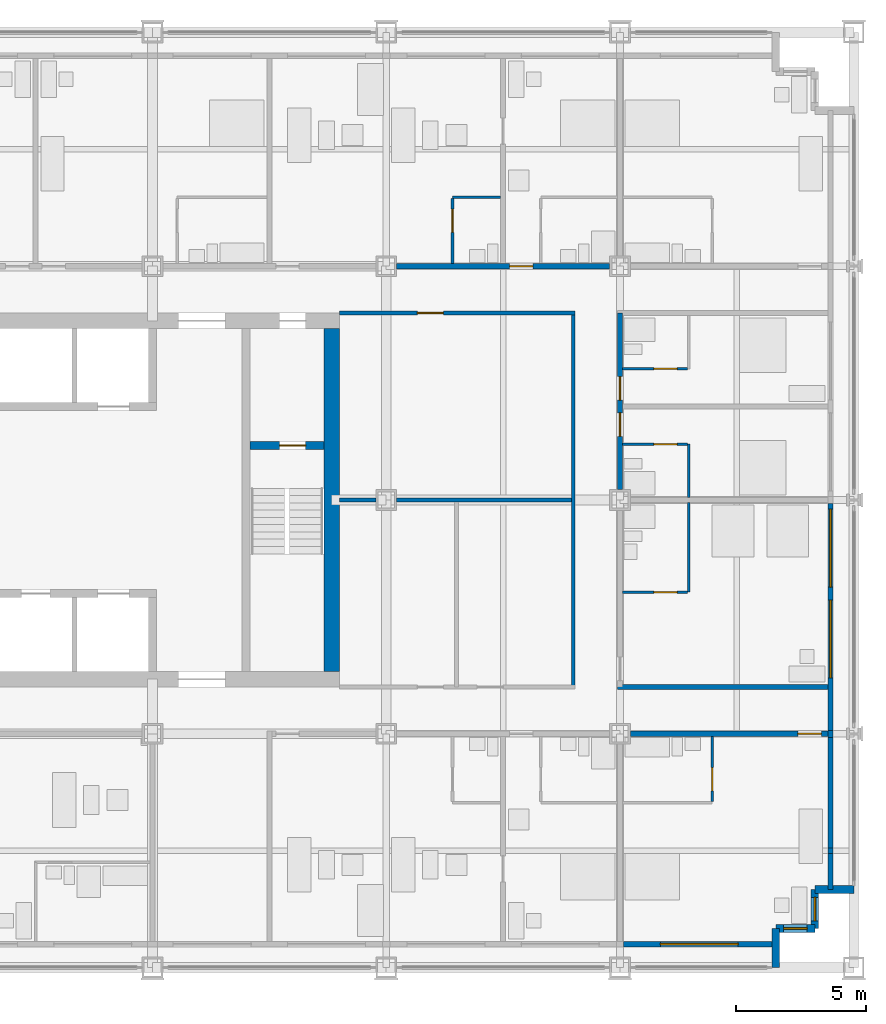
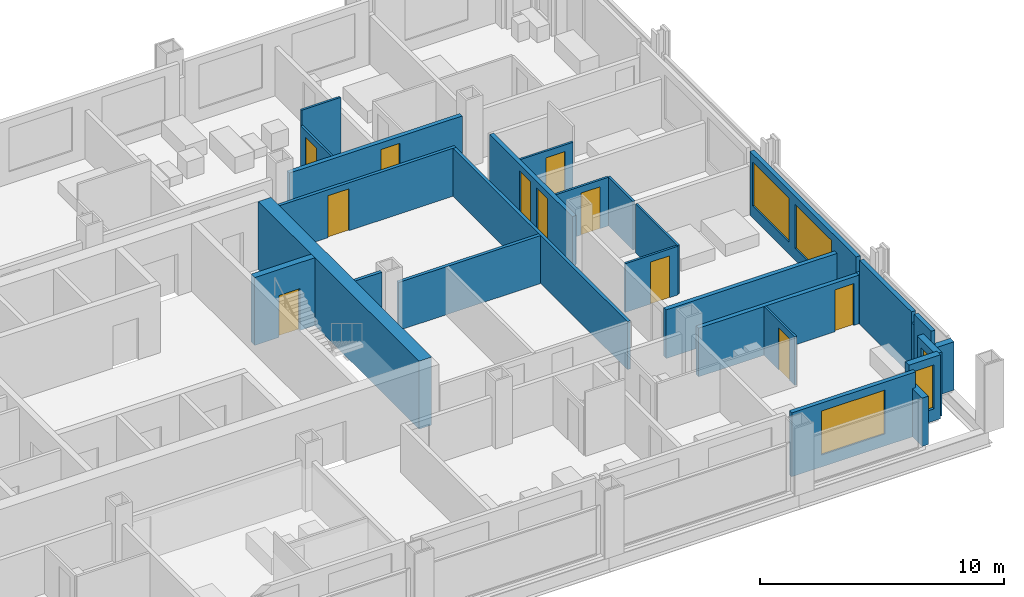
# One storey, part 13 of 18: 28 walls, 11 doors, 5 windows, 16 openings.
"""IFC4 building model written with IfcOpenShell, lengths in metres."""

from ifc_helpers import new_model, si_unit, direction, frame, frame_2d, origin, place, context, subcontext, project, spatial, rectangle, extrude, material, layer, layer_set, type_object, element, fill, save


model = new_model("IFC4")

# Units and contexts
model_context = context("Model", 3, precision=1e-05, world=origin(), true_north=direction((0.0, 1.0)))
body_context = subcontext(model_context, "Body", "Model", "MODEL_VIEW")
ifc_project = project(units=[si_unit("LENGTHUNIT", "METRE"), si_unit("AREAUNIT", "SQUARE_METRE"), si_unit("VOLUMEUNIT", "CUBIC_METRE"), si_unit("PLANEANGLEUNIT", "RADIAN"), si_unit("MASSUNIT", "GRAM", prefix="KILO")], contexts=[model_context])

# Site, building, storey
site_placement = place(None, origin())
site = spatial("IfcSite", under=ifc_project, at=site_placement, CompositionType="ELEMENT")
building_placement = place(site_placement, origin())
building = spatial("IfcBuilding", under=site, at=building_placement, Name="Loomwork Tower", CompositionType="ELEMENT")
storey_placement = place(building_placement, frame((0.0, 0.0, 79.0)))
storey = spatial("IfcBuildingStorey", under=building, at=storey_placement, Name="L20", CompositionType="ELEMENT", Elevation=79.0)

# Wall, opening, door
ifc_material_1 = material(Name="Concrete 14000 psi (97 MPa)", Category="concrete")
ifc_layer_1 = layer(ifc_material_1, 0.300048828125)
ifc_layer_set_1 = layer_set([ifc_layer_1], Name="Core shear wall 300")
wall_type_1 = type_object("IfcWallType", Name="Core shear wall 300", PredefinedType="SHEAR", material=ifc_layer_set_1)
wall_1_placement = place(storey_placement, frame((30.75, 20.10009765625, 0.0), z_axis=(0.0, 0.0, 1.0), x_axis=(1.0, 0.0, 0.0)))
wall_1 = element("IfcWall", 1, at=wall_1_placement, inside=storey, type_object=wall_type_1, Name="Stair B north wall L20", PredefinedType="SHEAR", context=body_context, shape_type="SweptSolid", body=[
    extrude(rectangle(XDim=2.85009765625, YDim=0.300048828125, at=frame_2d((1.425048828125, 0.0))), origin(), (0.0, 0.0, 1.0), 3.39990234375),
])
opening_1_placement = place(wall_1_placement, frame((1.14990234375, 0.0, 0.0)))
opening_1 = element("IfcOpeningElement", 2, at=opening_1_placement, cuts=wall_1, Name="Opening D4", PredefinedType="OPENING", context=body_context, shape_type="SweptSolid", body=[
    extrude(rectangle(XDim=1.0, YDim=2.10009765625, at=frame_2d((0.5, 1.050048828125))), frame((0.0, 0.159912109375, 0.0), z_axis=(0.0, -1.0, 0.0), x_axis=(1.0, 0.0, 0.0)), (0.0, 0.0, 1.0), 0.320068359375),
])
ifc_material_2 = material(Name="Hollow metal door and frame")
door_type_1 = type_object("IfcDoorType", Name="Stair door 1000", OperationType="SINGLE_SWING_RIGHT", PredefinedType="DOOR", material=ifc_material_2)
door_1_placement = place(opening_1_placement, frame((1.0, 0.0, 0.0), z_axis=(0.0, 0.0, 1.0), x_axis=(-1.0, 0.0, 0.0)))
door_1 = element("IfcDoor", 3, at=door_1_placement, inside=storey, type_object=door_type_1, Name="Stair B door", OperationType="SINGLE_SWING_LEFT", OverallHeight=2.10009765625, OverallWidth=1.0, PredefinedType="DOOR", context=body_context, shape_type="SweptSolid", body=[
    extrude(rectangle(XDim=1.0, YDim=2.10009765625, at=frame_2d((0.5, 1.050048828125))), frame((0.0, 0.02490234375, 0.0), z_axis=(0.0, -1.0, 0.0), x_axis=(1.0, 0.0, 0.0)), (0.0, 0.0, 1.0), 0.050048828125),
])
fill(opening_1, door_1)

# Wall
ifc_material_3 = material(Name="Concrete 14000 psi (97 MPa)", Category="concrete")
ifc_layer_2 = layer(ifc_material_3, 0.60009765625)
ifc_layer_set_2 = layer_set([ifc_layer_2], Name="Core shear wall 600")
wall_type_2 = type_object("IfcWallType", Name="Core shear wall 600", PredefinedType="SHEAR", material=ifc_layer_set_2)
wall_2_placement = place(storey_placement, frame((33.89990234375, 11.39990234375, 0.0), z_axis=(0.0, 0.0, 1.0), x_axis=(0.0, 1.0, 0.0)))
element("IfcWall", 4, at=wall_2_placement, inside=storey, type_object=wall_type_2, Name="Core wall east L20", PredefinedType="SHEAR", context=body_context, shape_type="SweptSolid", body=[
    extrude(rectangle(XDim=13.2001953125, YDim=0.60009765625, at=frame_2d((6.60009765625, 0.0))), origin(), (0.0, 0.0, 1.0), 3.39990234375),
])

# Wall, opening, door
ifc_material_4 = material(Name="Gypsum board on steel studs, one-hour", Category="steel")
ifc_layer_3 = layer(ifc_material_4, 0.199951171875)
ifc_layer_set_3 = layer_set([ifc_layer_3], Name="Corridor wall 200")
wall_type_3 = type_object("IfcWallType", Name="Corridor wall 200", PredefinedType="PARTITIONING", material=ifc_layer_set_3)
wall_3_placement = place(storey_placement, frame((45.39990234375, 9.0, 0.0), z_axis=(0.0, 0.0, 1.0), x_axis=(1.0, 0.0, 0.0)))
wall_3 = element("IfcWall", 5, at=wall_3_placement, inside=storey, type_object=wall_type_3, Name="South corridor wall 6", PredefinedType="PARTITIONING", context=body_context, shape_type="SweptSolid", body=[
    extrude(rectangle(XDim=7.60009765625, YDim=0.199951171875, at=frame_2d((3.800048828125, 0.0))), origin(), (0.0, 0.0, 1.0), 2.43798828125),
])
opening_2_placement = place(wall_3_placement, frame((6.449951171875, 0.0, 0.0)))
opening_2 = element("IfcOpeningElement", 6, at=opening_2_placement, cuts=wall_3, Name="Opening D1", PredefinedType="OPENING", context=body_context, shape_type="SweptSolid", body=[
    extrude(rectangle(XDim=0.89990234375, YDim=2.10009765625, at=frame_2d((0.449951171875, 1.050048828125))), frame((0.0, 0.10986328125, 0.0), z_axis=(0.0, -1.0, 0.0), x_axis=(1.0, 0.0, 0.0)), (0.0, 0.0, 1.0), 0.219970703125),
])
ifc_material_5 = material(Name="Hollow metal door and frame")
door_type_2 = type_object("IfcDoorType", Name="Guest room entry door 900", OperationType="SINGLE_SWING_LEFT", PredefinedType="DOOR", material=ifc_material_5)
door_2_placement = place(opening_2_placement, frame((0.89990234375, 0.0, 0.0), z_axis=(0.0, 0.0, 1.0), x_axis=(-1.0, 0.0, 0.0)))
door_2 = element("IfcDoor", 7, at=door_2_placement, inside=storey, type_object=door_type_2, Name="Guest room entry door L20 6", OperationType="SINGLE_SWING_LEFT", OverallHeight=2.10009765625, OverallWidth=0.89990234375, PredefinedType="DOOR", context=body_context, shape_type="SweptSolid", body=[
    extrude(rectangle(XDim=0.89990234375, YDim=2.10009765625, at=frame_2d((0.449951171875, 1.050048828125))), frame((0.0, 0.02490234375, 0.0), z_axis=(0.0, -1.0, 0.0), x_axis=(1.0, 0.0, 0.0)), (0.0, 0.0, 1.0), 0.050048828125),
])
fill(opening_2, door_2)

wall_4_placement = place(storey_placement, frame((36.39990234375, 27.0, 0.0), z_axis=(0.0, 0.0, 1.0), x_axis=(1.0, 0.0, 0.0)))
wall_4 = element("IfcWall", 8, at=wall_4_placement, inside=storey, type_object=wall_type_3, Name="North corridor wall 5", PredefinedType="PARTITIONING", context=body_context, shape_type="SweptSolid", body=[
    extrude(rectangle(XDim=8.2001953125, YDim=0.199951171875, at=frame_2d((4.10009765625, 0.0))), origin(), (0.0, 0.0, 1.0), 2.43798828125),
])
opening_3_placement = place(wall_4_placement, frame((4.35009765625, 0.0, 0.0)))
opening_3 = element("IfcOpeningElement", 9, at=opening_3_placement, cuts=wall_4, Name="Opening D1", PredefinedType="OPENING", context=body_context, shape_type="SweptSolid", body=[
    extrude(rectangle(XDim=0.89990234375, YDim=2.10009765625, at=frame_2d((0.449951171875, 1.050048828125))), frame((0.0, 0.10986328125, 0.0), z_axis=(0.0, -1.0, 0.0), x_axis=(1.0, 0.0, 0.0)), (0.0, 0.0, 1.0), 0.219970703125),
])
door_3_placement = place(opening_3_placement, origin())
door_3 = element("IfcDoor", 10, at=door_3_placement, inside=storey, type_object=door_type_2, Name="Guest room entry door L20 12", OperationType="SINGLE_SWING_LEFT", OverallHeight=2.10009765625, OverallWidth=0.89990234375, PredefinedType="DOOR", context=body_context, shape_type="SweptSolid", body=[
    extrude(rectangle(XDim=0.89990234375, YDim=2.10009765625, at=frame_2d((0.449951171875, 1.050048828125))), frame((0.0, 0.02490234375, 0.0), z_axis=(0.0, -1.0, 0.0), x_axis=(1.0, 0.0, 0.0)), (0.0, 0.0, 1.0), 0.050048828125),
])
fill(opening_3, door_3)

# Wall, openings, doors
wall_5_placement = place(storey_placement, frame((45.0, 18.39990234375, 0.0), z_axis=(0.0, 0.0, 1.0), x_axis=(0.0, 1.0, 0.0)))
wall_5 = element("IfcWall", 11, at=wall_5_placement, inside=storey, type_object=wall_type_3, Name="East corridor wall 2", PredefinedType="PARTITIONING", context=body_context, shape_type="SweptSolid", body=[
    extrude(rectangle(XDim=6.800048828125, YDim=0.199951171875, at=frame_2d((3.39990234375, 0.0))), origin(), (0.0, 0.0, 1.0), 2.43798828125),
])
opening_4_placement = place(wall_5_placement, frame((2.050048828125, 0.0, 0.0)))
opening_4 = element("IfcOpeningElement", 12, at=opening_4_placement, cuts=wall_5, Name="Opening D1", PredefinedType="OPENING", context=body_context, shape_type="SweptSolid", body=[
    extrude(rectangle(XDim=0.89990234375, YDim=2.10009765625, at=frame_2d((0.449951171875, 1.050048828125))), frame((0.0, 0.10986328125, 0.0), z_axis=(0.0, -1.0, 0.0), x_axis=(1.0, 0.0, 0.0)), (0.0, 0.0, 1.0), 0.219970703125),
])
opening_5_placement = place(wall_5_placement, frame((3.449951171875, 0.0, 0.0)))
opening_5 = element("IfcOpeningElement", 13, at=opening_5_placement, cuts=wall_5, Name="Opening D1", PredefinedType="OPENING", context=body_context, shape_type="SweptSolid", body=[
    extrude(rectangle(XDim=0.89990234375, YDim=2.10009765625, at=frame_2d((0.449951171875, 1.050048828125))), frame((0.0, 0.10986328125, 0.0), z_axis=(0.0, -1.0, 0.0), x_axis=(1.0, 0.0, 0.0)), (0.0, 0.0, 1.0), 0.219970703125),
])
door_4_placement = place(opening_4_placement, frame((0.89990234375, 0.0, 0.0), z_axis=(0.0, 0.0, 1.0), x_axis=(-1.0, 0.0, 0.0)))
door_4 = element("IfcDoor", 14, at=door_4_placement, inside=storey, type_object=door_type_2, Name="Guest room entry door L20 17", OperationType="SINGLE_SWING_LEFT", OverallHeight=2.10009765625, OverallWidth=0.89990234375, PredefinedType="DOOR", context=body_context, shape_type="SweptSolid", body=[
    extrude(rectangle(XDim=0.89990234375, YDim=2.10009765625, at=frame_2d((0.449951171875, 1.050048828125))), frame((0.0, 0.02490234375, 0.0), z_axis=(0.0, -1.0, 0.0), x_axis=(1.0, 0.0, 0.0)), (0.0, 0.0, 1.0), 0.050048828125),
])
fill(opening_4, door_4)
door_5_placement = place(opening_5_placement, frame((0.89990234375, 0.0, 0.0), z_axis=(0.0, 0.0, 1.0), x_axis=(-1.0, 0.0, 0.0)))
door_5 = element("IfcDoor", 15, at=door_5_placement, inside=storey, type_object=door_type_2, Name="Guest room entry door L20 18", OperationType="SINGLE_SWING_RIGHT", OverallHeight=2.10009765625, OverallWidth=0.89990234375, PredefinedType="DOOR", context=body_context, shape_type="SweptSolid", body=[
    extrude(rectangle(XDim=0.89990234375, YDim=2.10009765625, at=frame_2d((0.449951171875, 1.050048828125))), frame((0.0, 0.02490234375, 0.0), z_axis=(0.0, -1.0, 0.0), x_axis=(1.0, 0.0, 0.0)), (0.0, 0.0, 1.0), 0.050048828125),
])
fill(opening_5, door_5)

# Wall
wall_6_placement = place(storey_placement, frame((44.89990234375, 10.800048828125, 0.0), z_axis=(0.0, 0.0, 1.0), x_axis=(1.0, 0.0, 0.0)))
element("IfcWall", 16, at=wall_6_placement, inside=storey, type_object=wall_type_3, Name="East band end wall S", PredefinedType="PARTITIONING", context=body_context, shape_type="SweptSolid", body=[
    extrude(rectangle(XDim=8.10009765625, YDim=0.199951171875, at=frame_2d((4.050048828125, 0.0))), origin(), (0.0, 0.0, 1.0), 2.43798828125),
])

# Wall, opening, door
ifc_material_6 = material(Name="Cement board on steel studs", Category="steel")
ifc_layer_4 = layer(ifc_material_6, 0.10009765625)
ifc_layer_set_4 = layer_set([ifc_layer_4], Name="En-suite partition 100")
wall_type_4 = type_object("IfcWallType", Name="En-suite partition 100", PredefinedType="PARTITIONING", material=ifc_layer_set_4)
wall_7_placement = place(storey_placement, frame((48.550048828125, 8.89990234375, 0.0), z_axis=(0.0, 0.0, 1.0), x_axis=(0.0, -1.0, 0.0)))
wall_7 = element("IfcWall", 17, at=wall_7_placement, inside=storey, type_object=wall_type_4, Name="En-suite side wall L20 room 6", PredefinedType="PARTITIONING", context=body_context, shape_type="SweptSolid", body=[
    extrude(rectangle(XDim=2.5, YDim=0.10009765625, at=frame_2d((1.25, 0.0))), origin(), (0.0, 0.0, 1.0), 2.43798828125),
])
opening_6_placement = place(wall_7_placement, frame((1.199951171875, 0.0, 0.0)))
opening_6 = element("IfcOpeningElement", 18, at=opening_6_placement, cuts=wall_7, Name="Opening D2", PredefinedType="OPENING", context=body_context, shape_type="SweptSolid", body=[
    extrude(rectangle(XDim=0.89990234375, YDim=2.10009765625, at=frame_2d((0.449951171875, 1.050048828125))), frame((0.0, 0.06005859375, 0.0), z_axis=(0.0, -1.0, 0.0), x_axis=(1.0, 0.0, 0.0)), (0.0, 0.0, 1.0), 0.1201171875),
])
ifc_material_7 = material(Name="Hollow metal door and frame")
door_type_3 = type_object("IfcDoorType", Name="En-suite door 900", OperationType="SINGLE_SWING_LEFT", PredefinedType="DOOR", material=ifc_material_7)
door_6_placement = place(opening_6_placement, frame((0.89990234375, 0.0, 0.0), z_axis=(0.0, 0.0, 1.0), x_axis=(-1.0, 0.0, 0.0)))
door_6 = element("IfcDoor", 19, at=door_6_placement, inside=storey, type_object=door_type_3, Name="En-suite door room 6", OperationType="SINGLE_SWING_LEFT", OverallHeight=2.10009765625, OverallWidth=0.89990234375, PredefinedType="DOOR", context=body_context, shape_type="SweptSolid", body=[
    extrude(rectangle(XDim=0.89990234375, YDim=2.10009765625, at=frame_2d((0.449951171875, 1.050048828125))), frame((0.0, 0.02490234375, 0.0), z_axis=(0.0, -1.0, 0.0), x_axis=(1.0, 0.0, 0.0)), (0.0, 0.0, 1.0), 0.050048828125),
])
fill(opening_6, door_6)

# Wall
wall_8_placement = place(storey_placement, frame((38.550048828125, 29.64990234375, 0.0), z_axis=(0.0, 0.0, 1.0), x_axis=(1.0, 0.0, 0.0)))
element("IfcWall", 20, at=wall_8_placement, inside=storey, type_object=wall_type_4, Name="En-suite wall L20 room 11", PredefinedType="PARTITIONING", context=body_context, shape_type="SweptSolid", body=[
    extrude(rectangle(XDim=1.849853515625, YDim=0.10009765625, at=frame_2d((0.9248046875, 0.0))), origin(), (0.0, 0.0, 1.0), 3.199951171875),
])

# Wall, opening, door
wall_9_placement = place(storey_placement, frame((38.550048828125, 27.10009765625, 0.0), z_axis=(0.0, 0.0, 1.0), x_axis=(0.0, 1.0, 0.0)))
wall_9 = element("IfcWall", 21, at=wall_9_placement, inside=storey, type_object=wall_type_4, Name="En-suite side wall L20 room 11", PredefinedType="PARTITIONING", context=body_context, shape_type="SweptSolid", body=[
    extrude(rectangle(XDim=2.5, YDim=0.10009765625, at=frame_2d((1.25, 0.0))), origin(), (0.0, 0.0, 1.0), 2.43798828125),
])
opening_7_placement = place(wall_9_placement, frame((1.199951171875, 0.0, 0.0)))
opening_7 = element("IfcOpeningElement", 22, at=opening_7_placement, cuts=wall_9, Name="Opening D2", PredefinedType="OPENING", context=body_context, shape_type="SweptSolid", body=[
    extrude(rectangle(XDim=0.89990234375, YDim=2.10009765625, at=frame_2d((0.449951171875, 1.050048828125))), frame((0.0, 0.06005859375, 0.0), z_axis=(0.0, -1.0, 0.0), x_axis=(1.0, 0.0, 0.0)), (0.0, 0.0, 1.0), 0.1201171875),
])
door_7_placement = place(opening_7_placement, frame((0.89990234375, 0.0, 0.0), z_axis=(0.0, 0.0, 1.0), x_axis=(-1.0, 0.0, 0.0)))
door_7 = element("IfcDoor", 23, at=door_7_placement, inside=storey, type_object=door_type_3, Name="Suite powder room door room 11", OperationType="SINGLE_SWING_LEFT", OverallHeight=2.10009765625, OverallWidth=0.89990234375, PredefinedType="DOOR", context=body_context, shape_type="SweptSolid", body=[
    extrude(rectangle(XDim=0.89990234375, YDim=2.10009765625, at=frame_2d((0.449951171875, 1.050048828125))), frame((0.0, 0.02490234375, 0.0), z_axis=(0.0, -1.0, 0.0), x_axis=(1.0, 0.0, 0.0)), (0.0, 0.0, 1.0), 0.050048828125),
])
fill(opening_7, door_7)

# Wall
wall_10_placement = place(storey_placement, frame((47.64990234375, 14.449951171875, 0.0), z_axis=(0.0, 0.0, 1.0), x_axis=(0.0, 1.0, 0.0)))
element("IfcWall", 24, at=wall_10_placement, inside=storey, type_object=wall_type_4, Name="En-suite wall L20 room 16", PredefinedType="PARTITIONING", context=body_context, shape_type="SweptSolid", body=[
    extrude(rectangle(XDim=3.449951171875, YDim=0.10009765625, at=frame_2d((1.72509765625, 0.0))), origin(), (0.0, 0.0, 1.0), 2.43798828125),
])

# Wall, opening, door
wall_11_placement = place(storey_placement, frame((45.10009765625, 14.449951171875, 0.0), z_axis=(0.0, 0.0, 1.0), x_axis=(1.0, 0.0, 0.0)))
wall_11 = element("IfcWall", 25, at=wall_11_placement, inside=storey, type_object=wall_type_4, Name="En-suite side wall L20 room 16", PredefinedType="PARTITIONING", context=body_context, shape_type="SweptSolid", body=[
    extrude(rectangle(XDim=2.5, YDim=0.10009765625, at=frame_2d((1.25, 0.0))), origin(), (0.0, 0.0, 1.0), 2.43798828125),
])
opening_8_placement = place(wall_11_placement, frame((1.199951171875, 0.0, 0.0)))
opening_8 = element("IfcOpeningElement", 26, at=opening_8_placement, cuts=wall_11, Name="Opening D2", PredefinedType="OPENING", context=body_context, shape_type="SweptSolid", body=[
    extrude(rectangle(XDim=0.89990234375, YDim=2.10009765625, at=frame_2d((0.449951171875, 1.050048828125))), frame((0.0, 0.06005859375, 0.0), z_axis=(0.0, -1.0, 0.0), x_axis=(1.0, 0.0, 0.0)), (0.0, 0.0, 1.0), 0.1201171875),
])
door_8_placement = place(opening_8_placement, origin())
door_8 = element("IfcDoor", 27, at=door_8_placement, inside=storey, type_object=door_type_3, Name="En-suite door room 16", OperationType="SINGLE_SWING_RIGHT", OverallHeight=2.10009765625, OverallWidth=0.89990234375, PredefinedType="DOOR", context=body_context, shape_type="SweptSolid", body=[
    extrude(rectangle(XDim=0.89990234375, YDim=2.10009765625, at=frame_2d((0.449951171875, 1.050048828125))), frame((0.0, 0.02490234375, 0.0), z_axis=(0.0, -1.0, 0.0), x_axis=(1.0, 0.0, 0.0)), (0.0, 0.0, 1.0), 0.050048828125),
])
fill(opening_8, door_8)

# Wall
wall_12_placement = place(storey_placement, frame((47.64990234375, 18.10009765625, 0.0), z_axis=(0.0, 0.0, 1.0), x_axis=(0.0, 1.0, 0.0)))
element("IfcWall", 28, at=wall_12_placement, inside=storey, type_object=wall_type_4, Name="En-suite wall L20 room 17", PredefinedType="PARTITIONING", context=body_context, shape_type="SweptSolid", body=[
    extrude(rectangle(XDim=2.0498046875, YDim=0.10009765625, at=frame_2d((1.02490234375, 0.0))), origin(), (0.0, 0.0, 1.0), 2.43798828125),
])

# Wall, opening, door
wall_13_placement = place(storey_placement, frame((45.10009765625, 20.14990234375, 0.0), z_axis=(0.0, 0.0, 1.0), x_axis=(1.0, 0.0, 0.0)))
wall_13 = element("IfcWall", 29, at=wall_13_placement, inside=storey, type_object=wall_type_4, Name="En-suite side wall L20 room 17", PredefinedType="PARTITIONING", context=body_context, shape_type="SweptSolid", body=[
    extrude(rectangle(XDim=2.5, YDim=0.10009765625, at=frame_2d((1.25, 0.0))), origin(), (0.0, 0.0, 1.0), 2.43798828125),
])
opening_9_placement = place(wall_13_placement, frame((1.199951171875, 0.0, 0.0)))
opening_9 = element("IfcOpeningElement", 30, at=opening_9_placement, cuts=wall_13, Name="Opening D2", PredefinedType="OPENING", context=body_context, shape_type="SweptSolid", body=[
    extrude(rectangle(XDim=0.89990234375, YDim=2.10009765625, at=frame_2d((0.449951171875, 1.050048828125))), frame((0.0, 0.06005859375, 0.0), z_axis=(0.0, -1.0, 0.0), x_axis=(1.0, 0.0, 0.0)), (0.0, 0.0, 1.0), 0.1201171875),
])
door_9_placement = place(opening_9_placement, frame((0.89990234375, 0.0, 0.0), z_axis=(0.0, 0.0, 1.0), x_axis=(-1.0, 0.0, 0.0)))
door_9 = element("IfcDoor", 31, at=door_9_placement, inside=storey, type_object=door_type_3, Name="En-suite door room 17", OperationType="SINGLE_SWING_LEFT", OverallHeight=2.10009765625, OverallWidth=0.89990234375, PredefinedType="DOOR", context=body_context, shape_type="SweptSolid", body=[
    extrude(rectangle(XDim=0.89990234375, YDim=2.10009765625, at=frame_2d((0.449951171875, 1.050048828125))), frame((0.0, 0.02490234375, 0.0), z_axis=(0.0, -1.0, 0.0), x_axis=(1.0, 0.0, 0.0)), (0.0, 0.0, 1.0), 0.050048828125),
])
fill(opening_9, door_9)

wall_14_placement = place(storey_placement, frame((45.10009765625, 23.050048828125, 0.0), z_axis=(0.0, 0.0, 1.0), x_axis=(1.0, 0.0, 0.0)))
wall_14 = element("IfcWall", 32, at=wall_14_placement, inside=storey, type_object=wall_type_4, Name="En-suite side wall L20 room 18", PredefinedType="PARTITIONING", context=body_context, shape_type="SweptSolid", body=[
    extrude(rectangle(XDim=2.5, YDim=0.10009765625, at=frame_2d((1.25, 0.0))), origin(), (0.0, 0.0, 1.0), 2.43798828125),
])
opening_10_placement = place(wall_14_placement, frame((1.199951171875, 0.0, 0.0)))
opening_10 = element("IfcOpeningElement", 33, at=opening_10_placement, cuts=wall_14, Name="Opening D3", PredefinedType="OPENING", context=body_context, shape_type="SweptSolid", body=[
    extrude(rectangle(XDim=0.89990234375, YDim=2.10009765625, at=frame_2d((0.449951171875, 1.050048828125))), frame((0.0, 0.06005859375, 0.0), z_axis=(0.0, -1.0, 0.0), x_axis=(1.0, 0.0, 0.0)), (0.0, 0.0, 1.0), 0.1201171875),
])
ifc_material_8 = material(Name="Hollow metal door and frame")
door_type_4 = type_object("IfcDoorType", Name="Accessible en-suite door 900", OperationType="SLIDING_TO_LEFT", PredefinedType="DOOR", material=ifc_material_8)
door_10_placement = place(opening_10_placement, origin())
door_10 = element("IfcDoor", 34, at=door_10_placement, inside=storey, type_object=door_type_4, Name="Accessible en-suite door room 18", OperationType="SLIDING_TO_LEFT", OverallHeight=2.10009765625, OverallWidth=0.89990234375, PredefinedType="DOOR", context=body_context, shape_type="SweptSolid", body=[
    extrude(rectangle(XDim=0.89990234375, YDim=2.10009765625, at=frame_2d((0.449951171875, 1.050048828125))), frame((0.0, 0.02490234375, 0.0), z_axis=(0.0, -1.0, 0.0), x_axis=(1.0, 0.0, 0.0)), (0.0, 0.0, 1.0), 0.050048828125),
])
fill(opening_10, door_10)

# Wall
ifc_material_9 = material(Name="Insulated steel stud wall with gypsum lining", Category="steel")
ifc_layer_5 = layer(ifc_material_9, 0.199951171875)
ifc_layer_set_5 = layer_set([ifc_layer_5], Name="Inner skin wall 200")
wall_type_5 = type_object("IfcWallType", Name="Inner skin wall 200", PredefinedType="SOLIDWALL", material=ifc_layer_set_5)
wall_15_placement = place(storey_placement, frame((53.10009765625, 3.0, 0.0), z_axis=(0.0, 0.0, 1.0), x_axis=(0.0, 1.0, 0.0)))
element("IfcWall", 35, at=wall_15_placement, inside=storey, type_object=wall_type_5, Name="Inner skin wall E", PredefinedType="SOLIDWALL", context=body_context, shape_type="SweptSolid", body=[
    extrude(rectangle(XDim=1.392578125, YDim=0.199951171875, at=frame_2d((0.6962890625, 0.0))), origin(), (0.0, 0.0, 1.0), 3.199951171875),
])

# Wall, opening, window
wall_16_placement = place(storey_placement, frame((45.135498046875, 0.89990234375, 0.0), z_axis=(0.0, 0.0, 1.0), x_axis=(1.0, 0.0, 0.0)))
wall_16 = element("IfcWall", 36, at=wall_16_placement, inside=storey, type_object=wall_type_5, Name="Inner skin wall S bay 11", PredefinedType="SOLIDWALL", context=body_context, shape_type="SweptSolid", body=[
    extrude(rectangle(XDim=5.864501953125, YDim=0.199951171875, at=frame_2d((2.93212890625, 0.0))), origin(), (0.0, 0.0, 1.0), 3.199951171875),
])
opening_11_placement = place(wall_16_placement, frame((1.41455078125, 0.0, 0.60009765625)))
opening_11 = element("IfcOpeningElement", 37, at=opening_11_placement, cuts=wall_16, Name="Opening CH1", PredefinedType="OPENING", context=body_context, shape_type="SweptSolid", body=[
    extrude(rectangle(XDim=3.0, YDim=2.199951171875, at=frame_2d((1.5, 1.10009765625))), frame((0.0, 0.10986328125, 0.0), z_axis=(0.0, -1.0, 0.0), x_axis=(1.0, 0.0, 0.0)), (0.0, 0.0, 1.0), 0.219970703125),
])
ifc_material_10 = material(Name="Aluminium frame with clear insulated glass", Category="aluminium")
window_type_1 = type_object("IfcWindowType", Name="Chicago window 3000", PartitioningType="TRIPLE_PANEL_VERTICAL", PredefinedType="WINDOW", material=ifc_material_10)
window_1_placement = place(opening_11_placement, origin())
window_1 = element("IfcWindow", 38, at=window_1_placement, inside=storey, type_object=window_type_1, Name="Chicago window L20 bay 6", OverallHeight=2.199951171875, OverallWidth=3.0, PartitioningType="TRIPLE_PANEL_VERTICAL", PredefinedType="WINDOW", context=body_context, shape_type="SweptSolid", body=[
    extrude(rectangle(XDim=3.0, YDim=2.199951171875, at=frame_2d((1.5, 1.10009765625))), frame((0.0, 0.030029296875, 0.0), z_axis=(0.0, -1.0, 0.0), x_axis=(1.0, 0.0, 0.0)), (0.0, 0.0, 1.0), 0.06005859375),
])
fill(opening_11, window_1)

# Walls
wall_17_placement = place(storey_placement, frame((53.10009765625, 4.392578125, 0.0), z_axis=(0.0, 0.0, 1.0), x_axis=(0.0, 1.0, 0.0)))
element("IfcWall", 39, at=wall_17_placement, inside=storey, type_object=wall_type_5, Name="Inner skin wall E bay 2", PredefinedType="SOLIDWALL", context=body_context, shape_type="SweptSolid", body=[
    extrude(rectangle(XDim=0.21484375, YDim=0.199951171875, at=frame_2d((0.107421875, 0.0))), origin(), (0.0, 0.0, 1.0), 2.660888671875),
])
wall_18_placement = place(storey_placement, frame((53.10009765625, 4.607421875, 0.0), z_axis=(0.0, 0.0, 1.0), x_axis=(0.0, 1.0, 0.0)))
element("IfcWall", 40, at=wall_18_placement, inside=storey, type_object=wall_type_5, Name="Inner skin wall E bay 3", PredefinedType="SOLIDWALL", context=body_context, shape_type="SweptSolid", body=[
    extrude(rectangle(XDim=4.25732421875, YDim=0.199951171875, at=frame_2d((2.128662109375, 0.0))), origin(), (0.0, 0.0, 1.0), 3.199951171875),
])
wall_19_placement = place(storey_placement, frame((53.10009765625, 8.86474609375, 0.0), z_axis=(0.0, 0.0, 1.0), x_axis=(0.0, 1.0, 0.0)))
element("IfcWall", 41, at=wall_19_placement, inside=storey, type_object=wall_type_5, Name="Inner skin wall E bay 4", PredefinedType="SOLIDWALL", context=body_context, shape_type="SweptSolid", body=[
    extrude(rectangle(XDim=0.2705078125, YDim=0.199951171875, at=frame_2d((0.13525390625, 0.0))), origin(), (0.0, 0.0, 1.0), 2.43798828125),
])

# Wall, openings, windows
wall_20_placement = place(storey_placement, frame((53.10009765625, 9.13525390625, 0.0), z_axis=(0.0, 0.0, 1.0), x_axis=(0.0, 1.0, 0.0)))
wall_20 = element("IfcWall", 42, at=wall_20_placement, inside=storey, type_object=wall_type_5, Name="Inner skin wall E bay 5", PredefinedType="SOLIDWALL", context=body_context, shape_type="SweptSolid", body=[
    extrude(rectangle(XDim=8.729248046875, YDim=0.199951171875, at=frame_2d((4.36474609375, 0.0))), origin(), (0.0, 0.0, 1.0), 3.199951171875),
])
opening_12_placement = place(wall_20_placement, frame((2.0146484375, 0.0, 0.60009765625)))
opening_12 = element("IfcOpeningElement", 43, at=opening_12_placement, cuts=wall_20, Name="Opening CH1", PredefinedType="OPENING", context=body_context, shape_type="SweptSolid", body=[
    extrude(rectangle(XDim=3.0, YDim=2.199951171875, at=frame_2d((1.5, 1.10009765625))), frame((0.0, 0.10986328125, 0.0), z_axis=(0.0, -1.0, 0.0), x_axis=(1.0, 0.0, 0.0)), (0.0, 0.0, 1.0), 0.219970703125),
])
opening_13_placement = place(wall_20_placement, frame((5.5146484375, 0.0, 0.60009765625)))
opening_13 = element("IfcOpeningElement", 44, at=opening_13_placement, cuts=wall_20, Name="Opening CH1", PredefinedType="OPENING", context=body_context, shape_type="SweptSolid", body=[
    extrude(rectangle(XDim=3.0, YDim=2.199951171875, at=frame_2d((1.5, 1.10009765625))), frame((0.0, 0.10986328125, 0.0), z_axis=(0.0, -1.0, 0.0), x_axis=(1.0, 0.0, 0.0)), (0.0, 0.0, 1.0), 0.219970703125),
])
window_2_placement = place(opening_12_placement, origin())
window_2 = element("IfcWindow", 45, at=window_2_placement, inside=storey, type_object=window_type_1, Name="Chicago window L20 bay 15", OverallHeight=2.199951171875, OverallWidth=3.0, PartitioningType="TRIPLE_PANEL_VERTICAL", PredefinedType="WINDOW", context=body_context, shape_type="SweptSolid", body=[
    extrude(rectangle(XDim=3.0, YDim=2.199951171875, at=frame_2d((1.5, 1.10009765625))), frame((0.0, 0.030029296875, 0.0), z_axis=(0.0, -1.0, 0.0), x_axis=(1.0, 0.0, 0.0)), (0.0, 0.0, 1.0), 0.06005859375),
])
fill(opening_12, window_2)
window_3_placement = place(opening_13_placement, origin())
window_3 = element("IfcWindow", 46, at=window_3_placement, inside=storey, type_object=window_type_1, Name="Chicago window L20 bay 15", OverallHeight=2.199951171875, OverallWidth=3.0, PartitioningType="TRIPLE_PANEL_VERTICAL", PredefinedType="WINDOW", context=body_context, shape_type="SweptSolid", body=[
    extrude(rectangle(XDim=3.0, YDim=2.199951171875, at=frame_2d((1.5, 1.10009765625))), frame((0.0, 0.030029296875, 0.0), z_axis=(0.0, -1.0, 0.0), x_axis=(1.0, 0.0, 0.0)), (0.0, 0.0, 1.0), 0.06005859375),
])
fill(opening_13, window_3)

# Wall
ifc_material_11 = material(Name="Limestone on concrete masonry", Category="masonry")
ifc_layer_6 = layer(ifc_material_11, 0.300048828125)
ifc_layer_set_6 = layer_set([ifc_layer_6], Name="Limestone corner wall 300")
wall_type_6 = type_object("IfcWallType", Name="Limestone corner wall 300", PredefinedType="SOLIDWALL", material=ifc_layer_set_6)
wall_21_placement = place(storey_placement, frame((51.0, 0.0, 0.0), z_axis=(0.0, 0.0, 1.0), x_axis=(0.0, 1.0, 0.0)))
element("IfcWall", 47, at=wall_21_placement, inside=storey, type_object=wall_type_6, Name="Stone corner wall SE 1", PredefinedType="SOLIDWALL", context=body_context, shape_type="SweptSolid", body=[
    extrude(rectangle(XDim=1.5, YDim=0.300048828125, at=frame_2d((0.75, 0.0))), origin(), (0.0, 0.0, 1.0), 2.419921875),
])

# Wall, opening, window
wall_22_placement = place(storey_placement, frame((51.0, 1.5, 0.0), z_axis=(0.0, 0.0, 1.0), x_axis=(1.0, 0.0, 0.0)))
wall_22 = element("IfcWall", 48, at=wall_22_placement, inside=storey, type_object=wall_type_6, Name="Stone corner wall SE 2", PredefinedType="SOLIDWALL", context=body_context, shape_type="SweptSolid", body=[
    extrude(rectangle(XDim=1.5, YDim=0.300048828125, at=frame_2d((0.75, 0.0))), origin(), (0.0, 0.0, 1.0), 3.199951171875),
])
opening_14_placement = place(wall_22_placement, frame((0.300048828125, 0.0, 0.60009765625)))
opening_14 = element("IfcOpeningElement", 49, at=opening_14_placement, cuts=wall_22, Name="Opening CH2", PredefinedType="OPENING", context=body_context, shape_type="SweptSolid", body=[
    extrude(rectangle(XDim=0.89990234375, YDim=2.199951171875, at=frame_2d((0.449951171875, 1.10009765625))), frame((0.0, 0.159912109375, 0.0), z_axis=(0.0, -1.0, 0.0), x_axis=(1.0, 0.0, 0.0)), (0.0, 0.0, 1.0), 0.320068359375),
])
ifc_material_12 = material(Name="Aluminium frame with clear insulated glass", Category="aluminium")
window_type_2 = type_object("IfcWindowType", Name="Corner window 900", PartitioningType="SINGLE_PANEL", PredefinedType="WINDOW", material=ifc_material_12)
window_4_placement = place(opening_14_placement, origin())
window_4 = element("IfcWindow", 50, at=window_4_placement, inside=storey, type_object=window_type_2, Name="Corner window SE", OverallHeight=2.199951171875, OverallWidth=0.89990234375, PartitioningType="SINGLE_PANEL", PredefinedType="WINDOW", context=body_context, shape_type="SweptSolid", body=[
    extrude(rectangle(XDim=0.89990234375, YDim=2.199951171875, at=frame_2d((0.449951171875, 1.10009765625))), frame((0.0, 0.030029296875, 0.0), z_axis=(0.0, -1.0, 0.0), x_axis=(1.0, 0.0, 0.0)), (0.0, 0.0, 1.0), 0.06005859375),
])
fill(opening_14, window_4)

wall_23_placement = place(storey_placement, frame((52.5, 1.5, 0.0), z_axis=(0.0, 0.0, 1.0), x_axis=(0.0, 1.0, 0.0)))
wall_23 = element("IfcWall", 51, at=wall_23_placement, inside=storey, type_object=wall_type_6, Name="Stone corner wall SE 3", PredefinedType="SOLIDWALL", context=body_context, shape_type="SweptSolid", body=[
    extrude(rectangle(XDim=1.5, YDim=0.300048828125, at=frame_2d((0.75, 0.0))), origin(), (0.0, 0.0, 1.0), 3.199951171875),
])
opening_15_placement = place(wall_23_placement, frame((0.300048828125, 0.0, 0.60009765625)))
opening_15 = element("IfcOpeningElement", 52, at=opening_15_placement, cuts=wall_23, Name="Opening CH2", PredefinedType="OPENING", context=body_context, shape_type="SweptSolid", body=[
    extrude(rectangle(XDim=0.89990234375, YDim=2.199951171875, at=frame_2d((0.449951171875, 1.10009765625))), frame((0.0, 0.159912109375, 0.0), z_axis=(0.0, -1.0, 0.0), x_axis=(1.0, 0.0, 0.0)), (0.0, 0.0, 1.0), 0.320068359375),
])
window_5_placement = place(opening_15_placement, origin())
window_5 = element("IfcWindow", 53, at=window_5_placement, inside=storey, type_object=window_type_2, Name="Corner window SE", OverallHeight=2.199951171875, OverallWidth=0.89990234375, PartitioningType="SINGLE_PANEL", PredefinedType="WINDOW", context=body_context, shape_type="SweptSolid", body=[
    extrude(rectangle(XDim=0.89990234375, YDim=2.199951171875, at=frame_2d((0.449951171875, 1.10009765625))), frame((0.0, 0.030029296875, 0.0), z_axis=(0.0, -1.0, 0.0), x_axis=(1.0, 0.0, 0.0)), (0.0, 0.0, 1.0), 0.06005859375),
])
fill(opening_15, window_5)

# Wall
wall_24_placement = place(storey_placement, frame((52.5, 3.0, 0.0), z_axis=(0.0, 0.0, 1.0), x_axis=(1.0, 0.0, 0.0)))
element("IfcWall", 54, at=wall_24_placement, inside=storey, type_object=wall_type_6, Name="Stone corner wall SE 4", PredefinedType="SOLIDWALL", context=body_context, shape_type="SweptSolid", body=[
    extrude(rectangle(XDim=1.5, YDim=0.300048828125, at=frame_2d((0.75, 0.0))), origin(), (0.0, 0.0, 1.0), 2.419921875),
])

# Wall, opening, door
ifc_material_13 = material(Name="Gypsum board on steel studs, one-hour", Category="steel")
ifc_layer_7 = layer(ifc_material_13, 0.14990234375)
ifc_layer_set_7 = layer_set([ifc_layer_7], Name="Service partition 150")
wall_type_7 = type_object("IfcWallType", Name="Service partition 150", PredefinedType="PARTITIONING", material=ifc_layer_set_7)
wall_25_placement = place(storey_placement, frame((34.199951171875, 25.199951171875, 0.0), z_axis=(0.0, 0.0, 1.0), x_axis=(1.0, 0.0, 0.0)))
wall_25 = element("IfcWall", 55, at=wall_25_placement, inside=storey, type_object=wall_type_7, Name="Service block wall N", PredefinedType="PARTITIONING", context=body_context, shape_type="SweptSolid", body=[
    extrude(rectangle(XDim=9.074951171875, YDim=0.14990234375, at=frame_2d((4.53759765625, 0.0))), origin(), (0.0, 0.0, 1.0), 2.404052734375),
])
opening_16_placement = place(wall_25_placement, frame((3.0, 0.0, 0.0)))
opening_16 = element("IfcOpeningElement", 56, at=opening_16_placement, cuts=wall_25, Name="Opening D5", PredefinedType="OPENING", context=body_context, shape_type="SweptSolid", body=[
    extrude(rectangle(XDim=1.0, YDim=2.10009765625, at=frame_2d((0.5, 1.050048828125))), frame((0.0, 0.0849609375, 0.0), z_axis=(0.0, -1.0, 0.0), x_axis=(1.0, 0.0, 0.0)), (0.0, 0.0, 1.0), 0.169921875),
])
ifc_material_14 = material(Name="Hollow metal door and frame")
door_type_5 = type_object("IfcDoorType", Name="Service door 1000", OperationType="SINGLE_SWING_LEFT", PredefinedType="DOOR", material=ifc_material_14)
door_11_placement = place(opening_16_placement, frame((1.0, 0.0, 0.0), z_axis=(0.0, 0.0, 1.0), x_axis=(-1.0, 0.0, 0.0)))
door_11 = element("IfcDoor", 57, at=door_11_placement, inside=storey, type_object=door_type_5, Name="Riser room door", OperationType="SINGLE_SWING_LEFT", OverallHeight=2.10009765625, OverallWidth=1.0, PredefinedType="DOOR", context=body_context, shape_type="SweptSolid", body=[
    extrude(rectangle(XDim=1.0, YDim=2.10009765625, at=frame_2d((0.5, 1.050048828125))), frame((0.0, 0.02490234375, 0.0), z_axis=(0.0, -1.0, 0.0), x_axis=(1.0, 0.0, 0.0)), (0.0, 0.0, 1.0), 0.050048828125),
])
fill(opening_16, door_11)

# Walls
wall_26_placement = place(storey_placement, frame((43.199951171875, 10.800048828125, 0.0), z_axis=(0.0, 0.0, 1.0), x_axis=(0.0, 1.0, 0.0)))
element("IfcWall", 58, at=wall_26_placement, inside=storey, type_object=wall_type_7, Name="Service block east wall", PredefinedType="PARTITIONING", context=body_context, shape_type="SweptSolid", body=[
    extrude(rectangle(XDim=14.39990234375, YDim=0.14990234375, at=frame_2d((7.199951171875, 0.0))), origin(), (0.0, 0.0, 1.0), 2.404052734375),
])
wall_27_placement = place(storey_placement, frame((34.199951171875, 18.0, 0.0), z_axis=(0.0, 0.0, 1.0), x_axis=(1.0, 0.0, 0.0)))
element("IfcWall", 59, at=wall_27_placement, inside=storey, type_object=wall_type_7, Name="Service block divider", PredefinedType="PARTITIONING", context=body_context, shape_type="SweptSolid", body=[
    extrude(rectangle(XDim=1.400146484375, YDim=0.14990234375, at=frame_2d((0.7001953125, 0.0))), origin(), (0.0, 0.0, 1.0), 3.199951171875),
])
wall_28_placement = place(storey_placement, frame((36.39990234375, 18.0, 0.0), z_axis=(0.0, 0.0, 1.0), x_axis=(1.0, 0.0, 0.0)))
element("IfcWall", 60, at=wall_28_placement, inside=storey, type_object=wall_type_7, Name="Service block divider", PredefinedType="PARTITIONING", context=body_context, shape_type="SweptSolid", body=[
    extrude(rectangle(XDim=6.72509765625, YDim=0.14990234375, at=frame_2d((3.362548828125, 0.0))), origin(), (0.0, 0.0, 1.0), 2.405029296875),
])

save(model, "model.ifc")
